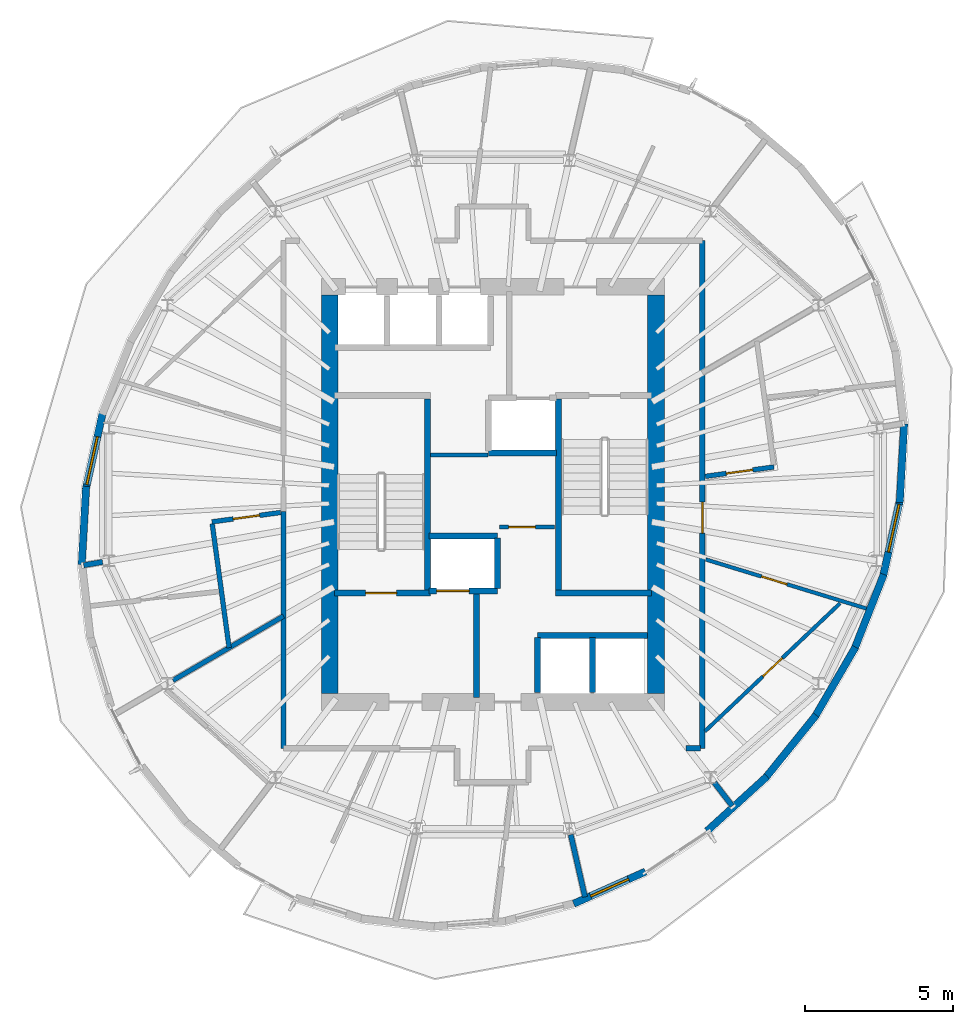
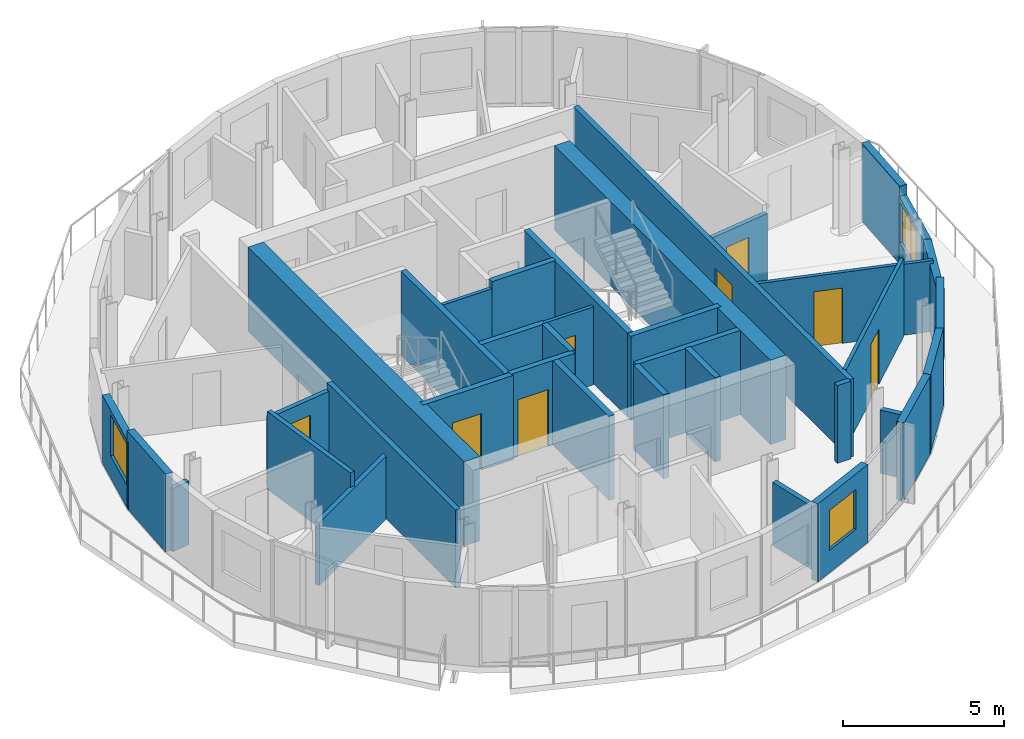
# One storey, part 5 of 11: 37 walls, 8 doors, 3 windows, 11 openings.
"""IFC4 building model written with IfcOpenShell, lengths in metres."""

from ifc_helpers import new_model, si_unit, direction, frame, frame_2d, origin, place, context, subcontext, project, spatial, rectangle, extrude, material, layer, layer_set, type_object, element, fill, save


model = new_model("IFC4")

# Units and contexts
model_context = context("Model", 3, precision=1e-05, world=origin(), true_north=direction((0.0, 1.0)))
body_context = subcontext(model_context, "Body", "Model", "MODEL_VIEW")
ifc_project = project(units=[si_unit("LENGTHUNIT", "METRE"), si_unit("AREAUNIT", "SQUARE_METRE"), si_unit("VOLUMEUNIT", "CUBIC_METRE"), si_unit("PLANEANGLEUNIT", "RADIAN"), si_unit("MASSUNIT", "GRAM", prefix="KILO")], contexts=[model_context])

# Site, building, storey
site_placement = place(None, origin())
site = spatial("IfcSite", under=ifc_project, at=site_placement, CompositionType="ELEMENT")
building_placement = place(site_placement, origin())
building = spatial("IfcBuilding", under=site, at=building_placement, Name="Veldorim Arch Residences", CompositionType="ELEMENT")
storey_placement = place(building_placement, frame((0.0, 0.0, 227.0400390625)))
storey = spatial("IfcBuildingStorey", under=building, at=storey_placement, Name="L68", CompositionType="ELEMENT", Elevation=227.0400390625)

# Wall, opening, door
ifc_material_1 = material(Name="Acoustic Gypsum Board", Category="gypsum")
ifc_layer_1 = layer(ifc_material_1, 0.125, Name="Acoustic Stud Room Partition Wall 125")
ifc_layer_set_1 = layer_set([ifc_layer_1], Name="Acoustic Gypsum Board")
wall_type_1 = type_object("IfcWallType", Name="Acoustic Stud Room Partition Wall 125", PredefinedType="PARTITIONING", material=ifc_layer_set_1)
wall_1_placement = place(storey_placement, frame((32.219970703125, 22.89990234375, 0.0), z_axis=(0.0, 0.0, 1.0), x_axis=(1.0, 0.0, 0.0)))
wall_1 = element("IfcWall", 1, at=wall_1_placement, inside=storey, type_object=wall_type_1, Name="L68 interior wall WL-CA-L68-2", PredefinedType="PARTITIONING", context=body_context, shape_type="SweptSolid", body=[
    extrude(rectangle(XDim=1.860107421875, YDim=0.125, at=frame_2d((0.93017578125, 0.0))), origin(), (0.0, 0.0, 1.0), 2.955078125),
])
opening_1_placement = place(wall_1_placement, frame((0.31005859375, 0.0, 0.0)))
opening_1 = element("IfcOpeningElement", 2, at=opening_1_placement, cuts=wall_1, Name="Opening DR-SVC", PredefinedType="OPENING", context=body_context, shape_type="SweptSolid", body=[
    extrude(rectangle(XDim=0.89990234375, YDim=2.10009765625, at=frame_2d((0.449951171875, 1.050048828125))), frame((0.0, 0.072509765625, 0.0), z_axis=(0.0, -1.0, 0.0), x_axis=(1.0, 0.0, 0.0)), (0.0, 0.0, 1.0), 0.14501953125),
])
ifc_material_2 = material(Name="Fire-Rated Steel", Category="steel")
door_type_1 = type_object("IfcDoorType", Name="Riser, Shelter & Plant Room Rated Steel Door 900x2100", OperationType="SINGLE_SWING_LEFT", PredefinedType="DOOR", material=ifc_material_2)
door_1_placement = place(opening_1_placement, origin())
door_1 = element("IfcDoor", 3, at=door_1_placement, inside=storey, type_object=door_type_1, Name="L68 interior door DR-L68-CA1", OperationType="SINGLE_SWING_RIGHT", OverallHeight=2.10009765625, OverallWidth=0.89990234375, PredefinedType="DOOR", context=body_context, shape_type="SweptSolid", body=[
    extrude(rectangle(XDim=0.89990234375, YDim=2.10009765625, at=frame_2d((0.449951171875, 1.050048828125))), frame((0.0, 0.02490234375, 0.0), z_axis=(0.0, -1.0, 0.0), x_axis=(1.0, 0.0, 0.0)), (0.0, 0.0, 1.0), 0.050048828125),
])
fill(opening_1, door_1)

# Wall
wall_2_placement = place(storey_placement, frame((29.889892578125, 25.330078125, 0.0), z_axis=(0.0, 0.0, 1.0), x_axis=(1.0, 0.0, 0.0)))
element("IfcWall", 4, at=wall_2_placement, inside=storey, type_object=wall_type_1, Name="L68 interior wall WL-CA-L68-N", PredefinedType="PARTITIONING", context=body_context, shape_type="SweptSolid", body=[
    extrude(rectangle(XDim=1.940185546875, YDim=0.125, at=frame_2d((0.97021484375, 0.0))), origin(), (0.0, 0.0, 1.0), 2.955078125),
])

# Wall, opening, door
wall_3_placement = place(storey_placement, frame((44.69970703125, 20.11962890625, 0.0), z_axis=(0.0, 0.0, 1.0), x_axis=(-0.956360100331, 0.292190620136, 0.0)))
wall_3 = element("IfcWall", 5, at=wall_3_placement, inside=storey, type_object=wall_type_1, Name="L68 interior wall WL-RES-L68-021", PredefinedType="PARTITIONING", context=body_context, shape_type="SweptSolid", body=[
    extrude(rectangle(XDim=5.777099609375, YDim=0.125, at=frame_2d((2.888671875, 0.0))), origin(), (0.0, 0.0, 1.0), 2.69189453125),
])
opening_2_placement = place(wall_3_placement, frame((2.90869140625, 0.0, 0.0)))
opening_2 = element("IfcOpeningElement", 6, at=opening_2_placement, cuts=wall_3, Name="Opening DR-INT", PredefinedType="OPENING", context=body_context, shape_type="SweptSolid", body=[
    extrude(rectangle(XDim=0.89990234375, YDim=2.10009765625, at=frame_2d((0.449951171875, 1.050048828125))), frame((0.0, 0.072509765625, 0.0), z_axis=(0.0, -1.0, 0.0), x_axis=(1.0, 0.0, 0.0)), (0.0, 0.0, 1.0), 0.14501953125),
])
ifc_material_3 = material(Name="Engineered Timber", Category="wood")
door_type_2 = type_object("IfcDoorType", Name="Apartment Internal Room Timber Door 900x2100", OperationType="SINGLE_SWING_LEFT", PredefinedType="DOOR", material=ifc_material_3)
door_2_placement = place(opening_2_placement, origin())
door_2 = element("IfcDoor", 7, at=door_2_placement, inside=storey, type_object=door_type_2, Name="L68 interior door DR-RES-L68-007", OperationType="SINGLE_SWING_LEFT", OverallHeight=2.10009765625, OverallWidth=0.89990234375, PredefinedType="DOOR", context=body_context, shape_type="SweptSolid", body=[
    extrude(rectangle(XDim=0.89990234375, YDim=2.10009765625, at=frame_2d((0.449951171875, 1.050048828125))), frame((0.0, 0.02490234375, 0.0), z_axis=(0.0, -1.0, 0.0), x_axis=(1.0, 0.0, 0.0)), (0.0, 0.0, 1.0), 0.050048828125),
])
fill(opening_2, door_2)

wall_4_placement = place(storey_placement, frame((43.70849609375, 20.33154296875, 0.0), z_axis=(0.0, 0.0, 1.0), x_axis=(-0.72596595756, -0.68773063656, 0.0)))
wall_4 = element("IfcWall", 8, at=wall_4_placement, inside=storey, type_object=wall_type_1, Name="L68 interior wall WL-RES-L68-025", PredefinedType="PARTITIONING", context=body_context, shape_type="SweptSolid", body=[
    extrude(rectangle(XDim=6.282958984375, YDim=0.125, at=frame_2d((3.1416015625, 0.0))), origin(), (0.0, 0.0, 1.0), 2.955078125),
])
opening_3_placement = place(wall_4_placement, frame((2.691650390625, 0.0, 0.0)))
opening_3 = element("IfcOpeningElement", 9, at=opening_3_placement, cuts=wall_4, Name="Opening DR-INT", PredefinedType="OPENING", context=body_context, shape_type="SweptSolid", body=[
    extrude(rectangle(XDim=0.89990234375, YDim=2.10009765625, at=frame_2d((0.449951171875, 1.050048828125))), frame((0.0, 0.072509765625, 0.0), z_axis=(0.0, -1.0, 0.0), x_axis=(1.0, 0.0, 0.0)), (0.0, 0.0, 1.0), 0.14501953125),
])
door_3_placement = place(opening_3_placement, origin())
door_3 = element("IfcDoor", 10, at=door_3_placement, inside=storey, type_object=door_type_2, Name="L68 interior door DR-RES-L68-008", OperationType="SINGLE_SWING_RIGHT", OverallHeight=2.10009765625, OverallWidth=0.89990234375, PredefinedType="DOOR", context=body_context, shape_type="SweptSolid", body=[
    extrude(rectangle(XDim=0.89990234375, YDim=2.10009765625, at=frame_2d((0.449951171875, 1.050048828125))), frame((0.0, 0.02490234375, 0.0), z_axis=(0.0, -1.0, 0.0), x_axis=(1.0, 0.0, 0.0)), (0.0, 0.0, 1.0), 0.050048828125),
])
fill(opening_3, door_3)

# Walls
ifc_material_4 = material(Name="Lightweight Masonry Block & Gypsum", Category="masonry")
ifc_layer_2 = layer(ifc_material_4, 0.179931640625, Name="Compartment & Corridor Fire-Rated Party Wall 180")
ifc_layer_set_2 = layer_set([ifc_layer_2], Name="Lightweight Masonry Block & Gypsum")
wall_type_2 = type_object("IfcWallType", Name="Compartment & Corridor Fire-Rated Party Wall 180", PredefinedType="PARTITIONING", material=ifc_layer_set_2)
wall_5_placement = place(storey_placement, frame((18.83740234375, 21.722900390625, 0.0), z_axis=(0.0, 0.0, 1.0), x_axis=(-0.985377293822, -0.170386586384, 0.0)))
element("IfcWall", 11, at=wall_5_placement, inside=storey, type_object=wall_type_2, Name="L68 interior wall WL-PIER-L68-09", PredefinedType="PARTITIONING", context=body_context, shape_type="SweptSolid", body=[
    extrude(rectangle(XDim=0.647705078125, YDim=0.179931640625, at=frame_2d((0.32373046875, 0.0))), origin(), (0.0, 0.0, 1.0), 2.4033203125),
])
wall_6_placement = place(storey_placement, frame((34.6240234375, 12.526611328125, 0.0), z_axis=(0.0, 0.0, 1.0), x_axis=(0.223037236672, -0.974809925605, 0.0)))
element("IfcWall", 12, at=wall_6_placement, inside=storey, type_object=wall_type_2, Name="L68 interior wall WL-PIER-L68-13", PredefinedType="PARTITIONING", context=body_context, shape_type="SweptSolid", body=[
    extrude(rectangle(XDim=2.153076171875, YDim=0.179931640625, at=frame_2d((1.07666015625, 0.0))), origin(), (0.0, 0.0, 1.0), 2.4033203125),
])
wall_7_placement = place(storey_placement, frame((39.46728515625, 14.280517578125, 0.0), z_axis=(0.0, 0.0, 1.0), x_axis=(0.609245199708, -0.792981895526, 0.0)))
element("IfcWall", 13, at=wall_7_placement, inside=storey, type_object=wall_type_2, Name="L68 interior wall WL-PIER-L68-14", PredefinedType="PARTITIONING", context=body_context, shape_type="SweptSolid", body=[
    extrude(rectangle(XDim=0.988525390625, YDim=0.179931640625, at=frame_2d((0.494140625, 0.0))), origin(), (0.0, 0.0, 1.0), 2.4033203125),
])
wall_8_placement = place(storey_placement, frame((24.93994140625, 15.43994140625, 0.0), z_axis=(0.0, 0.0, 1.0), x_axis=(0.0, 1.0, 0.0)))
element("IfcWall", 14, at=wall_8_placement, inside=storey, type_object=wall_type_2, Name="L68 interior wall WL-RES-L68-006", PredefinedType="PARTITIONING", context=body_context, shape_type="SweptSolid", body=[
    extrude(rectangle(XDim=7.982421875, YDim=0.179931640625, at=frame_2d((3.9912109375, 0.0))), origin(), (0.0, 0.0, 1.0), 2.955078125),
])

# Wall, opening, door
wall_9_placement = place(storey_placement, frame((39.06005859375, 32.56005859375, 0.0), z_axis=(0.0, 0.0, 1.0), x_axis=(0.0, -1.0, 0.0)))
wall_9 = element("IfcWall", 15, at=wall_9_placement, inside=storey, type_object=wall_type_2, Name="L68 interior wall WL-RES-L68-007", PredefinedType="PARTITIONING", context=body_context, shape_type="SweptSolid", body=[
    extrude(rectangle(XDim=17.1201171875, YDim=0.179931640625, at=frame_2d((8.56005859375, 0.0))), origin(), (0.0, 0.0, 1.0), 2.955078125),
])
opening_4_placement = place(wall_9_placement, frame((8.816162109375, 0.0, 0.0)))
opening_4 = element("IfcOpeningElement", 16, at=opening_4_placement, cuts=wall_9, Name="Opening DR-FLT", PredefinedType="OPENING", context=body_context, shape_type="SweptSolid", body=[
    extrude(rectangle(XDim=1.050048828125, YDim=2.14990234375, at=frame_2d((0.52490234375, 1.074951171875))), frame((0.0, 0.099853515625, 0.0), z_axis=(0.0, -1.0, 0.0), x_axis=(1.0, 0.0, 0.0)), (0.0, 0.0, 1.0), 0.199951171875),
])
ifc_material_5 = material(Name="Fire-Rated Timber", Category="wood")
door_type_3 = type_object("IfcDoorType", Name="Apartment Entrance Solid-Core Fire Door 1050x2150", OperationType="SINGLE_SWING_LEFT", PredefinedType="DOOR", material=ifc_material_5)
door_4_placement = place(opening_4_placement, origin())
door_4 = element("IfcDoor", 17, at=door_4_placement, inside=storey, type_object=door_type_3, Name="L68 interior door DR-RES-L68-005", OperationType="SINGLE_SWING_LEFT", OverallHeight=2.14990234375, OverallWidth=1.050048828125, PredefinedType="DOOR", context=body_context, shape_type="SweptSolid", body=[
    extrude(rectangle(XDim=1.050048828125, YDim=2.14990234375, at=frame_2d((0.52490234375, 1.074951171875))), frame((0.0, 0.02490234375, 0.0), z_axis=(0.0, -1.0, 0.0), x_axis=(1.0, 0.0, 0.0)), (0.0, 0.0, 1.0), 0.050048828125),
])
fill(opening_4, door_4)

# Walls
wall_10_placement = place(storey_placement, frame((39.0, 15.43994140625, 0.0), z_axis=(0.0, 0.0, 1.0), x_axis=(-1.0, 0.0, 0.0)))
element("IfcWall", 18, at=wall_10_placement, inside=storey, type_object=wall_type_2, Name="L68 interior wall WL-RES-L68-008", PredefinedType="PARTITIONING", context=body_context, shape_type="SweptSolid", body=[
    extrude(rectangle(XDim=0.484130859375, YDim=0.179931640625, at=frame_2d((0.2421875, 0.0))), origin(), (0.0, 0.0, 1.0), 2.955078125),
])
ifc_material_6 = material(Name="Concrete C50/60", Category="concrete")
ifc_layer_3 = layer(ifc_material_6, 0.199951171875, Name="Core Stair & Lift Shaft Enclosure Wall 200")
ifc_layer_set_3 = layer_set([ifc_layer_3], Name="Concrete C50/60")
wall_type_3 = type_object("IfcWallType", Name="Core Stair & Lift Shaft Enclosure Wall 200", PredefinedType="SHEAR", material=ifc_layer_set_3)
wall_11_placement = place(storey_placement, frame((29.7900390625, 20.780029296875, 0.0), z_axis=(0.0, 0.0, 1.0), x_axis=(0.0, 1.0, 0.0)))
element("IfcWall", 19, at=wall_11_placement, inside=storey, type_object=wall_type_3, Name="L68 shaft wall WL-SHF-L68-ST1-E", PredefinedType="SHEAR", context=body_context, shape_type="SweptSolid", body=[
    extrude(rectangle(XDim=6.43994140625, YDim=0.199951171875, at=frame_2d((3.219970703125, 0.0))), origin(), (0.0, 0.0, 1.0), 3.199951171875),
])

# Wall, opening, door
wall_12_placement = place(storey_placement, frame((26.64990234375, 20.669921875, 0.0), z_axis=(0.0, 0.0, 1.0), x_axis=(1.0, 0.0, 0.0)))
wall_12 = element("IfcWall", 20, at=wall_12_placement, inside=storey, type_object=wall_type_3, Name="L68 shaft wall WL-SHF-L68-ST1-S", PredefinedType="SHEAR", context=body_context, shape_type="SweptSolid", body=[
    extrude(rectangle(XDim=3.239990234375, YDim=0.199951171875, at=frame_2d((1.6201171875, 0.0))), origin(), (0.0, 0.0, 1.0), 3.199951171875),
])
opening_5_placement = place(wall_12_placement, frame((1.054931640625, 0.0, 0.0)))
opening_5 = element("IfcOpeningElement", 21, at=opening_5_placement, cuts=wall_12, Name="Opening DR-ST", PredefinedType="OPENING", context=body_context, shape_type="SweptSolid", body=[
    extrude(rectangle(XDim=1.050048828125, YDim=2.14990234375, at=frame_2d((0.52490234375, 1.074951171875))), frame((0.0, 0.10986328125, 0.0), z_axis=(0.0, -1.0, 0.0), x_axis=(1.0, 0.0, 0.0)), (0.0, 0.0, 1.0), 0.219970703125),
])
ifc_material_7 = material(Name="Fire-Rated Steel", Category="steel")
door_type_4 = type_object("IfcDoorType", Name="Exit Staircase Self-Closing Fire Door 1050x2150", OperationType="SINGLE_SWING_LEFT", PredefinedType="DOOR", material=ifc_material_7)
door_5_placement = place(opening_5_placement, origin())
door_5 = element("IfcDoor", 22, at=door_5_placement, inside=storey, type_object=door_type_4, Name="L68 interior door DR-L68-ST1", OperationType="SINGLE_SWING_LEFT", OverallHeight=2.14990234375, OverallWidth=1.050048828125, PredefinedType="DOOR", context=body_context, shape_type="SweptSolid", body=[
    extrude(rectangle(XDim=1.050048828125, YDim=2.14990234375, at=frame_2d((0.52490234375, 1.074951171875))), frame((0.0, 0.02490234375, 0.0), z_axis=(0.0, -1.0, 0.0), x_axis=(1.0, 0.0, 0.0)), (0.0, 0.0, 1.0), 0.050048828125),
])
fill(opening_5, door_5)

# Walls
wall_13_placement = place(storey_placement, frame((34.2099609375, 20.780029296875, 0.0), z_axis=(0.0, 0.0, 1.0), x_axis=(0.0, 1.0, 0.0)))
element("IfcWall", 23, at=wall_13_placement, inside=storey, type_object=wall_type_3, Name="L68 shaft wall WL-SHF-L68-ST2-W", PredefinedType="SHEAR", context=body_context, shape_type="SweptSolid", body=[
    extrude(rectangle(XDim=6.43994140625, YDim=0.199951171875, at=frame_2d((3.219970703125, 0.0))), origin(), (0.0, 0.0, 1.0), 3.199951171875),
])
wall_14_placement = place(storey_placement, frame((34.110107421875, 20.669921875, 0.0), z_axis=(0.0, 0.0, 1.0), x_axis=(1.0, 0.0, 0.0)))
element("IfcWall", 24, at=wall_14_placement, inside=storey, type_object=wall_type_3, Name="L68 shaft wall WL-SHF-L68-ST2-S", PredefinedType="SHEAR", context=body_context, shape_type="SweptSolid", body=[
    extrude(rectangle(XDim=3.239990234375, YDim=0.199951171875, at=frame_2d((1.6201171875, 0.0))), origin(), (0.0, 0.0, 1.0), 3.199951171875),
])
wall_15_placement = place(storey_placement, frame((31.449951171875, 17.14990234375, 0.0), z_axis=(0.0, 0.0, 1.0), x_axis=(0.0, 1.0, 0.0)))
element("IfcWall", 25, at=wall_15_placement, inside=storey, type_object=wall_type_3, Name="L68 shaft wall WL-FFL1-L68-E", PredefinedType="SHEAR", context=body_context, shape_type="SweptSolid", body=[
    extrude(rectangle(XDim=3.5, YDim=0.199951171875, at=frame_2d((1.75, 0.0))), origin(), (0.0, 0.0, 1.0), 3.199951171875),
])

# Wall, opening, door
wall_16_placement = place(storey_placement, frame((29.85009765625, 20.75, 0.0), z_axis=(0.0, 0.0, 1.0), x_axis=(1.0, 0.0, 0.0)))
wall_16 = element("IfcWall", 26, at=wall_16_placement, inside=storey, type_object=wall_type_3, Name="L68 shaft wall WL-FL01-L68-S", PredefinedType="SHEAR", context=body_context, shape_type="SweptSolid", body=[
    extrude(rectangle(XDim=2.2998046875, YDim=0.199951171875, at=frame_2d((1.14990234375, 0.0))), origin(), (0.0, 0.0, 1.0), 3.199951171875),
])
opening_6_placement = place(wall_16_placement, frame((0.25, 0.0, 0.0)))
opening_6 = element("IfcOpeningElement", 27, at=opening_6_placement, cuts=wall_16, Name="Opening LD-FF", PredefinedType="OPENING", context=body_context, shape_type="SweptSolid", body=[
    extrude(rectangle(XDim=1.10009765625, YDim=2.14990234375, at=frame_2d((0.550048828125, 1.074951171875))), frame((0.0, 0.10986328125, 0.0), z_axis=(0.0, -1.0, 0.0), x_axis=(1.0, 0.0, 0.0)), (0.0, 0.0, 1.0), 0.219970703125),
])
ifc_material_8 = material(Name="Stainless Steel", Category="steel")
door_type_5 = type_object("IfcDoorType", Name="Firefighting Lift Bi-Parting Sliding Landing Door 1100x2150", OperationType="DOUBLE_DOOR_SLIDING", PredefinedType="DOOR", material=ifc_material_8)
door_6_placement = place(opening_6_placement, origin())
door_6 = element("IfcDoor", 28, at=door_6_placement, inside=storey, type_object=door_type_5, Name="L68 lift landing door LD-L68-FL01", OperationType="DOUBLE_DOOR_SLIDING", OverallHeight=2.14990234375, OverallWidth=1.10009765625, PredefinedType="DOOR", context=body_context, shape_type="SweptSolid", body=[
    extrude(rectangle(XDim=1.10009765625, YDim=2.14990234375, at=frame_2d((0.550048828125, 1.074951171875))), frame((0.0, 0.02490234375, 0.0), z_axis=(0.0, -1.0, 0.0), x_axis=(1.0, 0.0, 0.0)), (0.0, 0.0, 1.0), 0.050048828125),
])
fill(opening_6, door_6)

# Walls
wall_17_placement = place(storey_placement, frame((29.85009765625, 22.60009765625, 0.0), z_axis=(0.0, 0.0, 1.0), x_axis=(1.0, 0.0, 0.0)))
element("IfcWall", 29, at=wall_17_placement, inside=storey, type_object=wall_type_3, Name="L68 shaft wall WL-FL01-L68-N", PredefinedType="SHEAR", context=body_context, shape_type="SweptSolid", body=[
    extrude(rectangle(XDim=2.2998046875, YDim=0.199951171875, at=frame_2d((1.14990234375, 0.0))), origin(), (0.0, 0.0, 1.0), 3.199951171875),
])
wall_18_placement = place(storey_placement, frame((32.14990234375, 20.820068359375, 0.0), z_axis=(0.0, 0.0, 1.0), x_axis=(0.0, 1.0, 0.0)))
element("IfcWall", 30, at=wall_18_placement, inside=storey, type_object=wall_type_3, Name="L68 shaft wall WL-FL01-L68-E", PredefinedType="SHEAR", context=body_context, shape_type="SweptSolid", body=[
    extrude(rectangle(XDim=1.7099609375, YDim=0.199951171875, at=frame_2d((0.85498046875, 0.0))), origin(), (0.0, 0.0, 1.0), 3.199951171875),
])
wall_19_placement = place(storey_placement, frame((31.85009765625, 25.39990234375, 0.0), z_axis=(0.0, 0.0, 1.0), x_axis=(1.0, 0.0, 0.0)))
element("IfcWall", 31, at=wall_19_placement, inside=storey, type_object=wall_type_3, Name="L68 shaft wall WL-FL02-L68-S", PredefinedType="SHEAR", context=body_context, shape_type="SweptSolid", body=[
    extrude(rectangle(XDim=2.2998046875, YDim=0.199951171875, at=frame_2d((1.14990234375, 0.0))), origin(), (0.0, 0.0, 1.0), 3.199951171875),
])
wall_20_placement = place(storey_placement, frame((33.5, 19.25, 0.0), z_axis=(0.0, 0.0, 1.0), x_axis=(1.0, 0.0, 0.0)))
element("IfcWall", 32, at=wall_20_placement, inside=storey, type_object=wall_type_3, Name="L68 shaft wall WL-OL-L68-N", PredefinedType="SHEAR", context=body_context, shape_type="SweptSolid", body=[
    extrude(rectangle(XDim=3.719970703125, YDim=0.199951171875, at=frame_2d((1.85986328125, 0.0))), origin(), (0.0, 0.0, 1.0), 3.199951171875),
])
for number, where, z_axis, x_axis, name in (
    (33, (33.5, 17.320068359375, 0.0), (0.0, 0.0, 1.0), (0.0, 1.0, 0.0), "L68 shaft wall WL-OL-L68-W"),
    (34, (35.35009765625, 17.320068359375, 0.0), (0.0, 0.0, 1.0), (0.0, 1.0, 0.0), "L68 shaft wall WL-OL-L68-D1"),
):
    element("IfcWall", number, at=place(storey_placement, frame(where, z_axis=z_axis, x_axis=x_axis)), inside=storey, type_object=wall_type_3, Name=name, PredefinedType="SHEAR", context=body_context, shape_type="SweptSolid", body=[
        extrude(rectangle(XDim=1.85986328125, YDim=0.199951171875, at=frame_2d((0.929931640625, 0.0))), origin(), (0.0, 0.0, 1.0), 3.199951171875),
    ])

# Wall, opening, window
ifc_material_9 = material(Name="Precast concrete C40/50", Category="concrete")
ifc_layer_4 = layer(ifc_material_9, 0.25, Name="Tower Terracotta Spandrel & Pier Wall 250")
ifc_layer_set_4 = layer_set([ifc_layer_4], Name="Precast concrete C40/50")
wall_type_4 = type_object("IfcWallType", Name="Tower Terracotta Spandrel & Pier Wall 250", PredefinedType="SOLIDWALL", material=ifc_layer_set_4)
wall_21_placement = place(storey_placement, frame((18.26708984375, 24.164306640625, 0.0), z_axis=(0.0, 0.0, 1.0), x_axis=(0.21633718885, 0.976318708579, 0.0)))
wall_21 = element("IfcWall", 35, at=wall_21_placement, inside=storey, type_object=wall_type_4, Name="L68 terracotta facade wall 12", PredefinedType="SOLIDWALL", context=body_context, shape_type="SweptSolid", body=[
    extrude(rectangle(XDim=2.70166015625, YDim=0.25, at=frame_2d((1.350830078125, 0.0))), origin(), (0.0, 0.0, 1.0), 2.576904296875),
])
opening_7_placement = place(wall_21_placement, frame((0.175048828125, 0.0, 0.85009765625)))
opening_7 = element("IfcOpeningElement", 36, at=opening_7_placement, cuts=wall_21, Name="Opening WN-03", PredefinedType="OPENING", context=body_context, shape_type="SweptSolid", body=[
    extrude(rectangle(XDim=1.64990234375, YDim=1.550048828125, at=frame_2d((0.824951171875, 0.77490234375))), frame((0.0, 0.135009765625, 0.0), z_axis=(0.0, -1.0, 0.0), x_axis=(1.0, 0.0, 0.0)), (0.0, 0.0, 1.0), 0.27001953125),
])
ifc_material_10 = material(Name="Laminated Low-E Glass", Category="glass")
window_type_1 = type_object("IfcWindowType", Name="Residential Wide Window 1650x1550", PartitioningType="SINGLE_PANEL", PredefinedType="WINDOW", material=ifc_material_10)
window_1_placement = place(opening_7_placement, origin())
window_1 = element("IfcWindow", 37, at=window_1_placement, inside=storey, type_object=window_type_1, Name="L68 solar-control facade window 12", OverallHeight=1.550048828125, OverallWidth=1.64990234375, PartitioningType="SINGLE_PANEL", PredefinedType="WINDOW", context=body_context, shape_type="SweptSolid", body=[
    extrude(rectangle(XDim=1.64990234375, YDim=1.550048828125, at=frame_2d((0.824951171875, 0.77490234375))), frame((0.0, 0.030029296875, 0.0), z_axis=(0.0, -1.0, 0.0), x_axis=(1.0, 0.0, 0.0)), (0.0, 0.0, 1.0), 0.06005859375),
])
fill(opening_7, window_1)

# Wall
wall_22_placement = place(storey_placement, frame((18.133056640625, 21.62646484375, 0.0), z_axis=(0.0, 0.0, 1.0), x_axis=(0.056270814174, 0.998415542483, 0.0)))
element("IfcWall", 38, at=wall_22_placement, inside=storey, type_object=wall_type_4, Name="L68 terracotta facade wall 13", PredefinedType="SOLIDWALL", context=body_context, shape_type="SweptSolid", body=[
    extrude(rectangle(XDim=2.65087890625, YDim=0.25, at=frame_2d((1.325439453125, 0.0))), origin(), (0.0, 0.0, 1.0), 2.9599609375),
])

# Wall, opening, window
wall_23_placement = place(storey_placement, frame((37.14453125, 11.280517578125, 0.0), z_axis=(0.0, 0.0, 1.0), x_axis=(-0.912779399898, -0.408452894617, 0.0)))
wall_23 = element("IfcWall", 39, at=wall_23_placement, inside=storey, type_object=wall_type_4, Name="L68 terracotta facade wall 24", PredefinedType="SOLIDWALL", context=body_context, shape_type="SweptSolid", body=[
    extrude(rectangle(XDim=2.65087890625, YDim=0.25, at=frame_2d((1.325439453125, 0.0))), origin(), (0.0, 0.0, 1.0), 2.9599609375),
])
opening_8_placement = place(wall_23_placement, frame((0.625, 0.0, 0.85009765625)))
opening_8 = element("IfcOpeningElement", 40, at=opening_8_placement, cuts=wall_23, Name="Opening WN-02", PredefinedType="OPENING", context=body_context, shape_type="SweptSolid", body=[
    extrude(rectangle(XDim=1.39990234375, YDim=1.52001953125, at=frame_2d((0.699951171875, 0.760009765625))), frame((0.0, 0.135009765625, 0.0), z_axis=(0.0, -1.0, 0.0), x_axis=(1.0, 0.0, 0.0)), (0.0, 0.0, 1.0), 0.27001953125),
])
ifc_material_11 = material(Name="Laminated Low-E Glass", Category="glass")
window_type_2 = type_object("IfcWindowType", Name="Residential Casement Window 1400x1550", PartitioningType="SINGLE_PANEL", PredefinedType="WINDOW", material=ifc_material_11)
window_2_placement = place(opening_8_placement, origin())
window_2 = element("IfcWindow", 41, at=window_2_placement, inside=storey, type_object=window_type_2, Name="L68 solar-control facade window 24", OverallHeight=1.52001953125, OverallWidth=1.39990234375, PartitioningType="SINGLE_PANEL", PredefinedType="WINDOW", context=body_context, shape_type="SweptSolid", body=[
    extrude(rectangle(XDim=1.39990234375, YDim=1.52001953125, at=frame_2d((0.699951171875, 0.760009765625))), frame((0.0, 0.030029296875, 0.0), z_axis=(0.0, -1.0, 0.0), x_axis=(1.0, 0.0, 0.0)), (0.0, 0.0, 1.0), 0.06005859375),
])
fill(opening_8, window_2)

# Walls
wall_24_placement = place(storey_placement, frame((41.242919921875, 14.490478515625, 0.0), z_axis=(0.0, 0.0, 1.0), x_axis=(-0.739366950434, -0.673302690182, 0.0)))
element("IfcWall", 42, at=wall_24_placement, inside=storey, type_object=wall_type_4, Name="L68 terracotta facade wall 26", PredefinedType="SOLIDWALL", context=body_context, shape_type="SweptSolid", body=[
    extrude(rectangle(XDim=2.73828125, YDim=0.25, at=frame_2d((1.369140625, 0.0))), origin(), (0.0, 0.0, 1.0), 2.9599609375),
])
wall_25_placement = place(storey_placement, frame((42.900390625, 16.5576171875, 0.0), z_axis=(0.0, 0.0, 1.0), x_axis=(-0.628046541479, -0.778175778174, 0.0)))
element("IfcWall", 43, at=wall_25_placement, inside=storey, type_object=wall_type_4, Name="L68 terracotta facade wall 27", PredefinedType="SOLIDWALL", context=body_context, shape_type="SweptSolid", body=[
    extrude(rectangle(XDim=2.758056640625, YDim=0.25, at=frame_2d((1.37890625, 0.0))), origin(), (0.0, 0.0, 1.0), 2.9599609375),
])
wall_26_placement = place(storey_placement, frame((44.2265625, 18.851318359375, 0.0), z_axis=(0.0, 0.0, 1.0), x_axis=(-0.503177339128, -0.864183178144, 0.0)))
element("IfcWall", 44, at=wall_26_placement, inside=storey, type_object=wall_type_4, Name="L68 terracotta facade wall 28", PredefinedType="SOLIDWALL", context=body_context, shape_type="SweptSolid", body=[
    extrude(rectangle(XDim=2.7578125, YDim=0.25, at=frame_2d((1.37890625, 0.0))), origin(), (0.0, 0.0, 1.0), 2.9599609375),
])
wall_27_placement = place(storey_placement, frame((45.180419921875, 21.302490234375, 0.0), z_axis=(0.0, 0.0, 1.0), x_axis=(-0.365588934877, -0.930776412838, 0.0)))
element("IfcWall", 45, at=wall_27_placement, inside=storey, type_object=wall_type_4, Name="L68 terracotta facade wall 29", PredefinedType="SOLIDWALL", context=body_context, shape_type="SweptSolid", body=[
    extrude(rectangle(XDim=2.73876953125, YDim=0.25, at=frame_2d((1.369384765625, 0.0))), origin(), (0.0, 0.0, 1.0), 2.576904296875),
])

# Wall, opening, window
wall_28_placement = place(storey_placement, frame((45.73291015625, 23.835693359375, 0.0), z_axis=(0.0, 0.0, 1.0), x_axis=(-0.21633718885, -0.976318708579, 0.0)))
wall_28 = element("IfcWall", 46, at=wall_28_placement, inside=storey, type_object=wall_type_4, Name="L68 terracotta facade wall 30", PredefinedType="SOLIDWALL", context=body_context, shape_type="SweptSolid", body=[
    extrude(rectangle(XDim=2.70166015625, YDim=0.25, at=frame_2d((1.350830078125, 0.0))), origin(), (0.0, 0.0, 1.0), 2.576904296875),
])
opening_9_placement = place(wall_28_placement, frame((0.175048828125, 0.0, 0.85009765625)))
opening_9 = element("IfcOpeningElement", 47, at=opening_9_placement, cuts=wall_28, Name="Opening WN-03", PredefinedType="OPENING", context=body_context, shape_type="SweptSolid", body=[
    extrude(rectangle(XDim=1.64990234375, YDim=1.550048828125, at=frame_2d((0.824951171875, 0.77490234375))), frame((0.0, 0.135009765625, 0.0), z_axis=(0.0, -1.0, 0.0), x_axis=(1.0, 0.0, 0.0)), (0.0, 0.0, 1.0), 0.27001953125),
])
window_3_placement = place(opening_9_placement, origin())
window_3 = element("IfcWindow", 48, at=window_3_placement, inside=storey, type_object=window_type_1, Name="L68 solar-control facade window 30", OverallHeight=1.550048828125, OverallWidth=1.64990234375, PartitioningType="SINGLE_PANEL", PredefinedType="WINDOW", context=body_context, shape_type="SweptSolid", body=[
    extrude(rectangle(XDim=1.64990234375, YDim=1.550048828125, at=frame_2d((0.824951171875, 0.77490234375))), frame((0.0, 0.030029296875, 0.0), z_axis=(0.0, -1.0, 0.0), x_axis=(1.0, 0.0, 0.0)), (0.0, 0.0, 1.0), 0.06005859375),
])
fill(opening_9, window_3)

# Walls
wall_29_placement = place(storey_placement, frame((45.866943359375, 26.37353515625, 0.0), z_axis=(0.0, 0.0, 1.0), x_axis=(-0.056270814174, -0.998415542483, 0.0)))
element("IfcWall", 49, at=wall_29_placement, inside=storey, type_object=wall_type_4, Name="L68 terracotta facade wall 31", PredefinedType="SOLIDWALL", context=body_context, shape_type="SweptSolid", body=[
    extrude(rectangle(XDim=2.65087890625, YDim=0.25, at=frame_2d((1.325439453125, 0.0))), origin(), (0.0, 0.0, 1.0), 2.9599609375),
])
ifc_material_12 = material(Name="Concrete C50/60", Category="concrete")
ifc_layer_5 = layer(ifc_material_12, 0.5, Name="Upper Central Core Shear Wall 560")
ifc_layer_set_5 = layer_set([ifc_layer_5], Name="Concrete C50/60")
wall_type_5 = type_object("IfcWallType", Name="Upper Central Core Shear Wall 560", PredefinedType="SHEAR", material=ifc_layer_set_5)
for number, where, z_axis, x_axis, name in (
    (50, (26.5, 17.280029296875, 0.0), (0.0, 0.0, 1.0), (0.0, 1.0, 0.0), "L68 central core west shear wall"),
    (51, (37.5, 17.280029296875, 0.0), (0.0, 0.0, 1.0), (0.0, 1.0, 0.0), "L68 central core east shear wall"),
):
    element("IfcWall", number, at=place(storey_placement, frame(where, z_axis=z_axis, x_axis=x_axis)), inside=storey, type_object=wall_type_5, Name=name, PredefinedType="SHEAR", context=body_context, shape_type="SweptSolid", body=[
        extrude(rectangle(XDim=13.43994140625, YDim=0.56005859375, at=frame_2d((6.719970703125, 0.0))), origin(), (0.0, 0.0, 1.0), 3.199951171875),
    ])
ifc_material_13 = material(Name="Moisture-Resistant Gypsum & Stud", Category="gypsum")
ifc_layer_6 = layer(ifc_material_13, 0.159912109375, Name="Wet-Area Moisture-Resistant Plumbing Wall 160")
ifc_layer_set_6 = layer_set([ifc_layer_6], Name="Moisture-Resistant Gypsum & Stud")
wall_type_6 = type_object("IfcWallType", Name="Wet-Area Moisture-Resistant Plumbing Wall 160", PredefinedType="PLUMBINGWALL", material=ifc_layer_set_6)
wall_30_placement = place(storey_placement, frame((21.209716796875, 17.7294921875, 0.0), z_axis=(0.0, 0.0, 1.0), x_axis=(0.864584371019, 0.502487676854, 0.0)))
element("IfcWall", 52, at=wall_30_placement, inside=storey, type_object=wall_type_6, Name="L68 interior wall WL-RES-L68-019", PredefinedType="PLUMBINGWALL", context=body_context, shape_type="SweptSolid", body=[
    extrude(rectangle(XDim=4.314453125, YDim=0.159912109375, at=frame_2d((2.1572265625, 0.0))), origin(), (0.0, 0.0, 1.0), 2.4033203125),
])

# Wall, opening, door
wall_31_placement = place(storey_placement, frame((39.1591796875, 24.609130859375, 0.0), z_axis=(0.0, 0.0, 1.0), x_axis=(0.990809817729, 0.135262356521, 0.0)))
wall_31 = element("IfcWall", 53, at=wall_31_placement, inside=storey, type_object=wall_type_6, Name="L68 interior wall WL-RES-L68-022", PredefinedType="PLUMBINGWALL", context=body_context, shape_type="SweptSolid", body=[
    extrude(rectangle(XDim=2.33740234375, YDim=0.159912109375, at=frame_2d((1.168701171875, 0.0))), origin(), (0.0, 0.0, 1.0), 2.69189453125),
])
opening_10_placement = place(wall_31_placement, frame((0.71875, 0.0, 0.0)))
opening_10 = element("IfcOpeningElement", 54, at=opening_10_placement, cuts=wall_31, Name="Opening DR-INT", PredefinedType="OPENING", context=body_context, shape_type="SweptSolid", body=[
    extrude(rectangle(XDim=0.89990234375, YDim=2.10009765625, at=frame_2d((0.449951171875, 1.050048828125))), frame((0.0, 0.08984375, 0.0), z_axis=(0.0, -1.0, 0.0), x_axis=(1.0, 0.0, 0.0)), (0.0, 0.0, 1.0), 0.179931640625),
])
door_7_placement = place(opening_10_placement, origin())
door_7 = element("IfcDoor", 55, at=door_7_placement, inside=storey, type_object=door_type_2, Name="L68 interior door DR-RES-L68-009", OperationType="SINGLE_SWING_LEFT", OverallHeight=2.10009765625, OverallWidth=0.89990234375, PredefinedType="DOOR", context=body_context, shape_type="SweptSolid", body=[
    extrude(rectangle(XDim=0.89990234375, YDim=2.10009765625, at=frame_2d((0.449951171875, 1.050048828125))), frame((0.0, 0.02490234375, 0.0), z_axis=(0.0, -1.0, 0.0), x_axis=(1.0, 0.0, 0.0)), (0.0, 0.0, 1.0), 0.050048828125),
])
fill(opening_10, door_7)

wall_32_placement = place(storey_placement, frame((24.8408203125, 23.390869140625, 0.0), z_axis=(0.0, 0.0, 1.0), x_axis=(-0.990809817729, -0.135262356521, 0.0)))
wall_32 = element("IfcWall", 56, at=wall_32_placement, inside=storey, type_object=wall_type_6, Name="L68 interior wall WL-RES-L68-031", PredefinedType="PLUMBINGWALL", context=body_context, shape_type="SweptSolid", body=[
    extrude(rectangle(XDim=2.33740234375, YDim=0.159912109375, at=frame_2d((1.168701171875, 0.0))), origin(), (0.0, 0.0, 1.0), 2.69189453125),
])
opening_11_placement = place(wall_32_placement, frame((0.71875, 0.0, 0.0)))
opening_11 = element("IfcOpeningElement", 57, at=opening_11_placement, cuts=wall_32, Name="Opening DR-INT", PredefinedType="OPENING", context=body_context, shape_type="SweptSolid", body=[
    extrude(rectangle(XDim=0.89990234375, YDim=2.10009765625, at=frame_2d((0.449951171875, 1.050048828125))), frame((0.0, 0.08984375, 0.0), z_axis=(0.0, -1.0, 0.0), x_axis=(1.0, 0.0, 0.0)), (0.0, 0.0, 1.0), 0.179931640625),
])
door_8_placement = place(opening_11_placement, origin())
door_8 = element("IfcDoor", 58, at=door_8_placement, inside=storey, type_object=door_type_2, Name="L68 interior door DR-RES-L68-018", OperationType="SINGLE_SWING_RIGHT", OverallHeight=2.10009765625, OverallWidth=0.89990234375, PredefinedType="DOOR", context=body_context, shape_type="SweptSolid", body=[
    extrude(rectangle(XDim=0.89990234375, YDim=2.10009765625, at=frame_2d((0.449951171875, 1.050048828125))), frame((0.0, 0.02490234375, 0.0), z_axis=(0.0, -1.0, 0.0), x_axis=(1.0, 0.0, 0.0)), (0.0, 0.0, 1.0), 0.050048828125),
])
fill(opening_11, door_8)

# Wall
wall_33_placement = place(storey_placement, frame((22.532958984375, 23.015380859375, 0.0), z_axis=(0.0, 0.0, 1.0), x_axis=(0.135203486235, -0.990817852741, 0.0)))
element("IfcWall", 59, at=wall_33_placement, inside=storey, type_object=wall_type_6, Name="L68 interior wall WL-RES-L68-032", PredefinedType="PLUMBINGWALL", context=body_context, shape_type="SweptSolid", body=[
    extrude(rectangle(XDim=4.2236328125, YDim=0.159912109375, at=frame_2d((2.11181640625, 0.0))), origin(), (0.0, 0.0, 1.0), 2.955078125),
])

save(model, "model.ifc")
